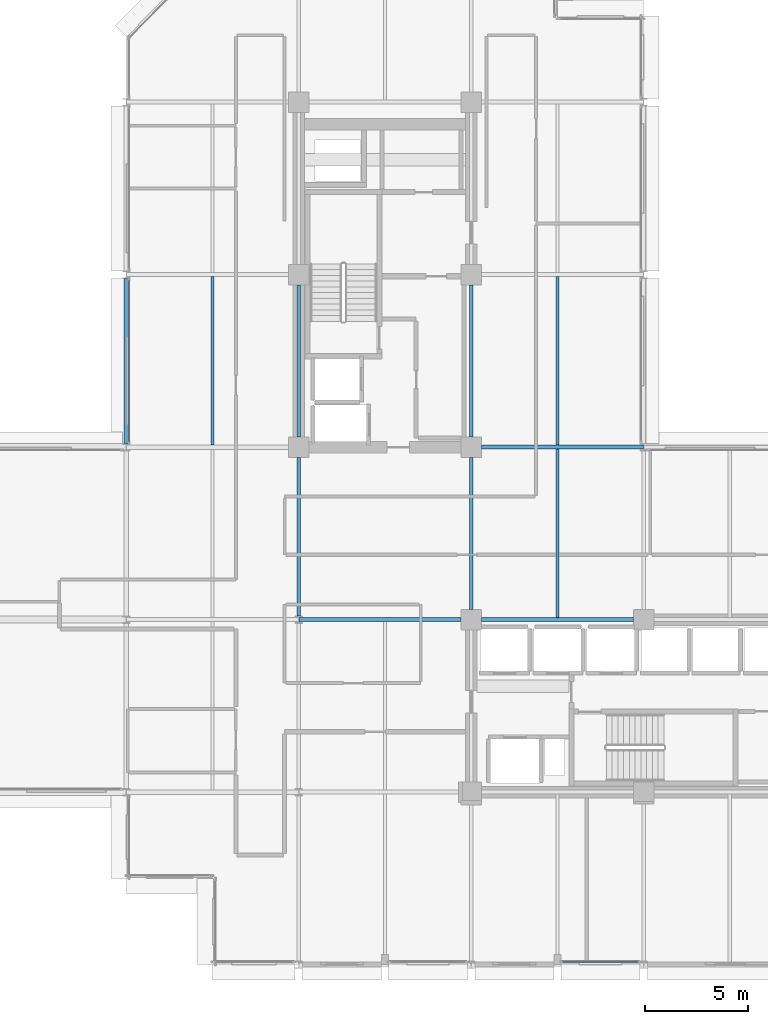
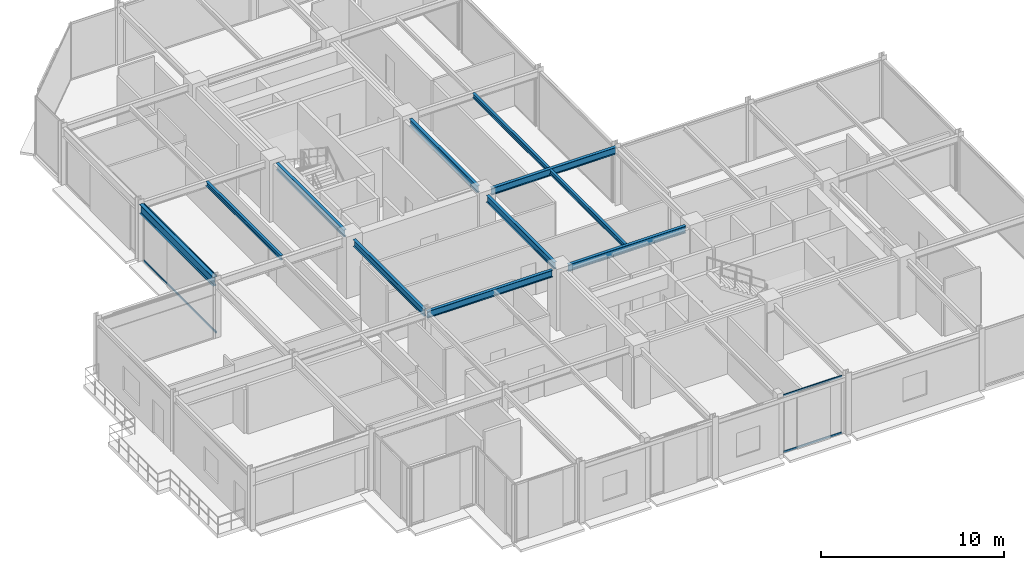
# One storey, part 10 of 29: 11 beams, 4 members, 2 elements without a shape of their own.
"""IFC4 building model written with IfcOpenShell, lengths in metres."""

from ifc_helpers import new_model, si_unit, direction, frame, origin, origin_2d, place, context, subcontext, project, spatial, hollow_rectangle, i_section, extrude, material, layer, layer_set, material_profile, profile_set, type_object, element, aggregate, save


model = new_model("IFC4")

# Units and contexts
model_context = context("Model", 3, precision=1e-05, world=origin(), true_north=direction((0.0, 1.0)))
body_context = subcontext(model_context, "Body", "Model", "MODEL_VIEW")
ifc_project = project(units=[si_unit("LENGTHUNIT", "METRE"), si_unit("AREAUNIT", "SQUARE_METRE"), si_unit("VOLUMEUNIT", "CUBIC_METRE"), si_unit("PLANEANGLEUNIT", "RADIAN"), si_unit("MASSUNIT", "GRAM", prefix="KILO")], contexts=[model_context])

# Site, building, storey
site_placement = place(None, origin())
site = spatial("IfcSite", under=ifc_project, at=site_placement, CompositionType="ELEMENT")
building_placement = place(site_placement, origin())
building = spatial("IfcBuilding", under=site, at=building_placement, Name="Nerrivon Quay Data Exchange", CompositionType="ELEMENT")
storey_placement = place(building_placement, frame((0.0, 0.0, 204.199951171875)))
storey = spatial("IfcBuildingStorey", under=building, at=storey_placement, Name="L48", CompositionType="ELEMENT", Elevation=204.199951171875)

# Beams
ifc_material_1 = material(Name="Steel Grade 350", Category="steel")
ifc_material_profile_1 = material_profile(ifc_material_1, i_section(OverallWidth=0.22802734375, OverallDepth=0.60205078125, WebThickness=0.010498046875, FlangeThickness=0.014892578125, FilletRadius=0.013916015625, at=origin_2d()), Name="610UB101")
ifc_profile_set_1 = profile_set([ifc_material_profile_1], Name="Steel Grade 350")
beam_type_1 = type_object("IfcBeamType", Name="BM-G2-610UB101", PredefinedType="BEAM", material=ifc_profile_set_1)
beam_1_placement = place(storey_placement, frame((0.0, 25.375, 3.524169921875), z_axis=(0.0, 1.0, 0.0), x_axis=(-1.0, 0.0, 0.0)))
element("IfcBeam", 1, at=beam_1_placement, inside=storey, type_object=beam_type_1, Name="L48 NS Girder X=0.0 (25.2..33.6)", PredefinedType="BEAM", context=body_context, shape_type="SweptSolid", body=[
    extrude(i_section(OverallWidth=0.22802734375, OverallDepth=0.60205078125, WebThickness=0.010498046875, FlangeThickness=0.014892578125, FilletRadius=0.013916015625, at=origin_2d()), origin(), (0.0, 0.0, 1.0), 8.050048828125),
])
ifc_material_profile_2 = material_profile(ifc_material_1, i_section(OverallWidth=0.19091796875, OverallDepth=0.4599609375, WebThickness=0.010009765625, FlangeThickness=0.01611328125, FilletRadius=0.011474609375, at=origin_2d()), Name="460UB82.1")
ifc_profile_set_2 = profile_set([ifc_material_profile_2], Name="Steel Grade 350")
beam_type_2 = type_object("IfcBeamType", Name="BM-G5-460UB82", PredefinedType="BEAM", material=ifc_profile_set_2)
beam_2_placement = place(storey_placement, frame((8.409912109375, 16.800048828125, 3.594970703125), z_axis=(1.0, 0.0, 0.0), x_axis=(0.0, 1.0, 0.0)))
element("IfcBeam", 2, at=beam_2_placement, inside=storey, type_object=beam_type_2, Name="L48 EW Girder Y=16.8 (8.4..16.8)", PredefinedType="BEAM", context=body_context, shape_type="SweptSolid", body=[
    extrude(i_section(OverallWidth=0.19091796875, OverallDepth=0.4599609375, WebThickness=0.010009765625, FlangeThickness=0.01611328125, FilletRadius=0.011474609375, at=origin_2d()), origin(), (0.0, 0.0, 1.0), 7.89013671875),
])
beam_3_placement = place(storey_placement, frame((17.300048828125, 16.800048828125, 3.594970703125), z_axis=(1.0, 0.0, 0.0), x_axis=(0.0, 1.0, 0.0)))
element("IfcBeam", 3, at=beam_3_placement, inside=storey, type_object=beam_type_2, Name="L48 EW Girder Y=16.8 (16.8..25.2)", PredefinedType="BEAM", context=body_context, shape_type="SweptSolid", body=[
    extrude(i_section(OverallWidth=0.19091796875, OverallDepth=0.4599609375, WebThickness=0.010009765625, FlangeThickness=0.01611328125, FilletRadius=0.011474609375, at=origin_2d()), origin(), (0.0, 0.0, 1.0), 7.39990234375),
])
beam_4_placement = place(storey_placement, frame((17.300048828125, 25.199951171875, 3.594970703125), z_axis=(1.0, 0.0, 0.0), x_axis=(0.0, 1.0, 0.0)))
element("IfcBeam", 4, at=beam_4_placement, inside=storey, type_object=beam_type_2, Name="L48 EW Girder Y=25.2 (16.8..25.2)", PredefinedType="BEAM", context=body_context, shape_type="SweptSolid", body=[
    extrude(i_section(OverallWidth=0.19091796875, OverallDepth=0.4599609375, WebThickness=0.010009765625, FlangeThickness=0.01611328125, FilletRadius=0.011474609375, at=origin_2d()), origin(), (0.0, 0.0, 1.0), 7.889892578125),
])
ifc_material_profile_3 = material_profile(ifc_material_1, i_section(OverallWidth=0.18994140625, OverallDepth=0.4541015625, WebThickness=0.008544921875, FlangeThickness=0.0126953125, FilletRadius=0.011474609375, at=origin_2d()), Name="460UB67.1")
ifc_profile_set_3 = profile_set([ifc_material_profile_3], Name="Steel Grade 350")
beam_type_3 = type_object("IfcBeamType", Name="BM-G6-460UB67", PredefinedType="BEAM", material=ifc_profile_set_3)
beam_5_placement = place(storey_placement, frame((8.39990234375, 16.97509765625, 3.59814453125), z_axis=(0.0, 1.0, 0.0), x_axis=(-1.0, 0.0, 0.0)))
element("IfcBeam", 5, at=beam_5_placement, inside=storey, type_object=beam_type_3, Name="L48 NS Girder X=8.4 (16.8..25.2)", PredefinedType="BEAM", context=body_context, shape_type="SweptSolid", body=[
    extrude(i_section(OverallWidth=0.18994140625, OverallDepth=0.4541015625, WebThickness=0.008544921875, FlangeThickness=0.0126953125, FilletRadius=0.011474609375, at=origin_2d()), origin(), (0.0, 0.0, 1.0), 7.724853515625),
])
beam_6_placement = place(storey_placement, frame((8.39990234375, 25.699951171875, 3.59814453125), z_axis=(0.0, 1.0, 0.0), x_axis=(-1.0, 0.0, 0.0)))
element("IfcBeam", 6, at=beam_6_placement, inside=storey, type_object=beam_type_3, Name="L48 NS Girder X=8.4 (25.2..33.6)", PredefinedType="BEAM", context=body_context, shape_type="SweptSolid", body=[
    extrude(i_section(OverallWidth=0.18994140625, OverallDepth=0.4541015625, WebThickness=0.008544921875, FlangeThickness=0.0126953125, FilletRadius=0.011474609375, at=origin_2d()), origin(), (0.0, 0.0, 1.0), 7.400146484375),
])
beam_7_placement = place(storey_placement, frame((16.800048828125, 17.300048828125, 3.59814453125), z_axis=(0.0, 1.0, 0.0), x_axis=(-1.0, 0.0, 0.0)))
element("IfcBeam", 7, at=beam_7_placement, inside=storey, type_object=beam_type_3, Name="L48 NS Girder X=16.8 (16.8..25.2)", PredefinedType="BEAM", context=body_context, shape_type="SweptSolid", body=[
    extrude(i_section(OverallWidth=0.18994140625, OverallDepth=0.4541015625, WebThickness=0.008544921875, FlangeThickness=0.0126953125, FilletRadius=0.011474609375, at=origin_2d()), origin(), (0.0, 0.0, 1.0), 7.39990234375),
])
beam_8_placement = place(storey_placement, frame((16.800048828125, 25.699951171875, 3.59814453125), z_axis=(0.0, 1.0, 0.0), x_axis=(-1.0, 0.0, 0.0)))
element("IfcBeam", 8, at=beam_8_placement, inside=storey, type_object=beam_type_3, Name="L48 NS Girder X=16.8 (25.2..33.6)", PredefinedType="BEAM", context=body_context, shape_type="SweptSolid", body=[
    extrude(i_section(OverallWidth=0.18994140625, OverallDepth=0.4541015625, WebThickness=0.008544921875, FlangeThickness=0.0126953125, FilletRadius=0.011474609375, at=origin_2d()), origin(), (0.0, 0.0, 1.0), 7.400146484375),
])
ifc_material_profile_4 = material_profile(ifc_material_1, i_section(OverallWidth=0.166015625, OverallDepth=0.306884765625, WebThickness=0.006591796875, FlangeThickness=0.01171875, FilletRadius=0.011474609375, at=origin_2d()), Name="310UB46.2")
ifc_profile_set_4 = profile_set([ifc_material_profile_4], Name="Steel Grade 350")
beam_type_4 = type_object("IfcBeamType", Name="BM-J5-310UB46", PredefinedType="JOIST", material=ifc_profile_set_4)
beam_9_placement = place(storey_placement, frame((4.199951171875, 25.314453125, 3.671630859375), z_axis=(0.0, 1.0, 0.0), x_axis=(-1.0, 0.0, 0.0)))
element("IfcBeam", 9, at=beam_9_placement, inside=storey, type_object=beam_type_4, Name="L48 Secondary Joist X=4.2 (25.2..33.6)", PredefinedType="JOIST", context=body_context, shape_type="SweptSolid", body=[
    extrude(i_section(OverallWidth=0.166015625, OverallDepth=0.306884765625, WebThickness=0.006591796875, FlangeThickness=0.01171875, FilletRadius=0.011474609375, at=origin_2d()), origin(), (0.0, 0.0, 1.0), 8.18994140625),
])
for number, where, z_axis, x_axis, name in (
    (10, (21.0, 16.8955078125, 3.671630859375), (0.0, 1.0, 0.0), (-1.0, 0.0, 0.0), "L48 Secondary Joist X=21.0 (16.8..25.2)"),
    (11, (21.0, 25.29541015625, 3.671630859375), (0.0, 1.0, 0.0), (-1.0, 0.0, 0.0), "L48 Secondary Joist X=21.0 (25.2..33.6)"),
):
    element("IfcBeam", number, at=place(storey_placement, frame(where, z_axis=z_axis, x_axis=x_axis)), inside=storey, type_object=beam_type_4, Name=name, PredefinedType="JOIST", context=body_context, shape_type="SweptSolid", body=[
        extrude(i_section(OverallWidth=0.166015625, OverallDepth=0.306884765625, WebThickness=0.006591796875, FlangeThickness=0.01171875, FilletRadius=0.011474609375, at=origin_2d()), origin(), (0.0, 0.0, 1.0), 8.208984375),
    ])

# Curtain wall, members
ifc_material_2 = material(Name="Anodised aluminium 6063-T6", Category="aluminium")
ifc_layer = layer(ifc_material_2, 0.195068359375)
ifc_layer_set = layer_set([ifc_layer], Name="Anodised aluminium 6063-T6")
curtain_wall_type = type_object("IfcCurtainWallType", Name="CW-SYS-06", PredefinedType="NOTDEFINED", material=ifc_layer_set)
curtain_wall_1_placement = place(storey_placement, origin())
curtain_wall_1 = element("IfcCurtainWall", 12, at=curtain_wall_1_placement, inside=storey, type_object=curtain_wall_type, Name="L48 Unitised Curtain Wall 4", PredefinedType="NOTDEFINED")
ifc_material_profile_5 = material_profile(ifc_material_2, hollow_rectangle(XDim=0.06005859375, YDim=0.1201171875, WallThickness=0.003173828125, at=origin_2d()), Name="ALU-TRAN-120x60")
ifc_profile_set_5 = profile_set([ifc_material_profile_5], Name="Anodised aluminium 6063-T6")
member_type = type_object("IfcMemberType", Name="CWT-120x60", PredefinedType="USERDEFINED", material=ifc_profile_set_5)
member_1_placement = place(storey_placement, frame((0.139892578125, 25.449951171875, 0.032470703125), z_axis=(0.0, 1.0, 0.0), x_axis=(-1.0, 0.0, 0.0)))
member_1 = element("IfcMember", 13, at=member_1_placement, type_object=member_type, Name="CW06 transom 1.1", ObjectType="TRANSOM", PredefinedType="USERDEFINED", context=body_context, shape_type="SweptSolid", body=[
    extrude(hollow_rectangle(XDim=0.06005859375, YDim=0.1201171875, WallThickness=0.003173828125, at=origin_2d()), origin(), (0.0, 0.0, 1.0), 7.900146484375),
])
member_2_placement = place(storey_placement, frame((0.139892578125, 25.449951171875, 3.79248046875), z_axis=(0.0, 1.0, 0.0), x_axis=(-1.0, 0.0, 0.0)))
member_2 = element("IfcMember", 14, at=member_2_placement, type_object=member_type, Name="CW06 transom 1.2", ObjectType="TRANSOM", PredefinedType="USERDEFINED", context=body_context, shape_type="SweptSolid", body=[
    extrude(hollow_rectangle(XDim=0.06005859375, YDim=0.1201171875, WallThickness=0.003173828125, at=origin_2d()), origin(), (0.0, 0.0, 1.0), 7.900146484375),
])
aggregate(curtain_wall_1, [member_1, member_2])

curtain_wall_2_placement = place(storey_placement, origin())
curtain_wall_2 = element("IfcCurtainWall", 15, at=curtain_wall_2_placement, inside=storey, type_object=curtain_wall_type, Name="L48 Unitised Curtain Wall 24", PredefinedType="NOTDEFINED")
member_3_placement = place(storey_placement, frame((24.949951171875, 0.139892578125, 0.032470703125), z_axis=(-1.0, 0.0, 0.0), x_axis=(0.0, -1.0, 0.0)))
member_3 = element("IfcMember", 16, at=member_3_placement, type_object=member_type, Name="CW06 transom 1.1", ObjectType="TRANSOM", PredefinedType="USERDEFINED", context=body_context, shape_type="SweptSolid", body=[
    extrude(hollow_rectangle(XDim=0.06005859375, YDim=0.1201171875, WallThickness=0.003173828125, at=origin_2d()), origin(), (0.0, 0.0, 1.0), 3.699951171875),
])
member_4_placement = place(storey_placement, frame((24.949951171875, 0.139892578125, 3.79248046875), z_axis=(-1.0, 0.0, 0.0), x_axis=(0.0, -1.0, 0.0)))
member_4 = element("IfcMember", 17, at=member_4_placement, type_object=member_type, Name="CW06 transom 1.2", ObjectType="TRANSOM", PredefinedType="USERDEFINED", context=body_context, shape_type="SweptSolid", body=[
    extrude(hollow_rectangle(XDim=0.06005859375, YDim=0.1201171875, WallThickness=0.003173828125, at=origin_2d()), origin(), (0.0, 0.0, 1.0), 3.699951171875),
])
aggregate(curtain_wall_2, [member_3, member_4])

save(model, "model.ifc")
